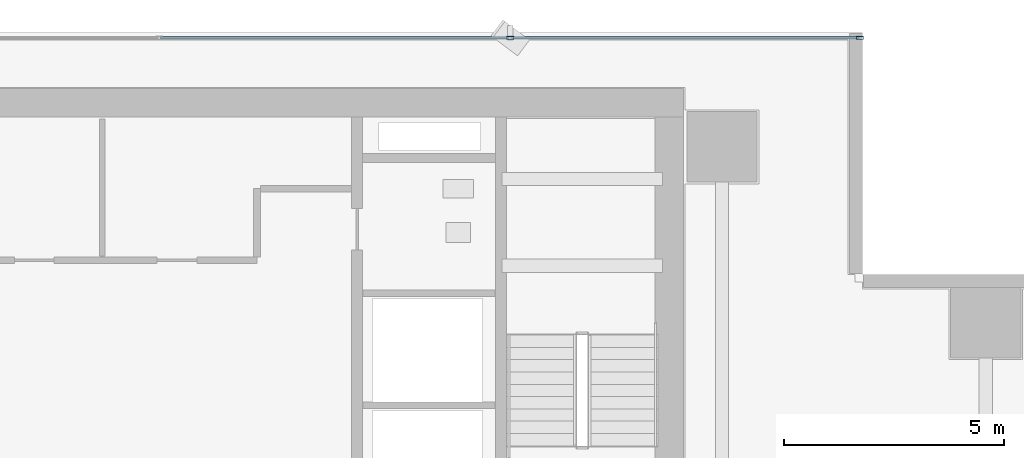
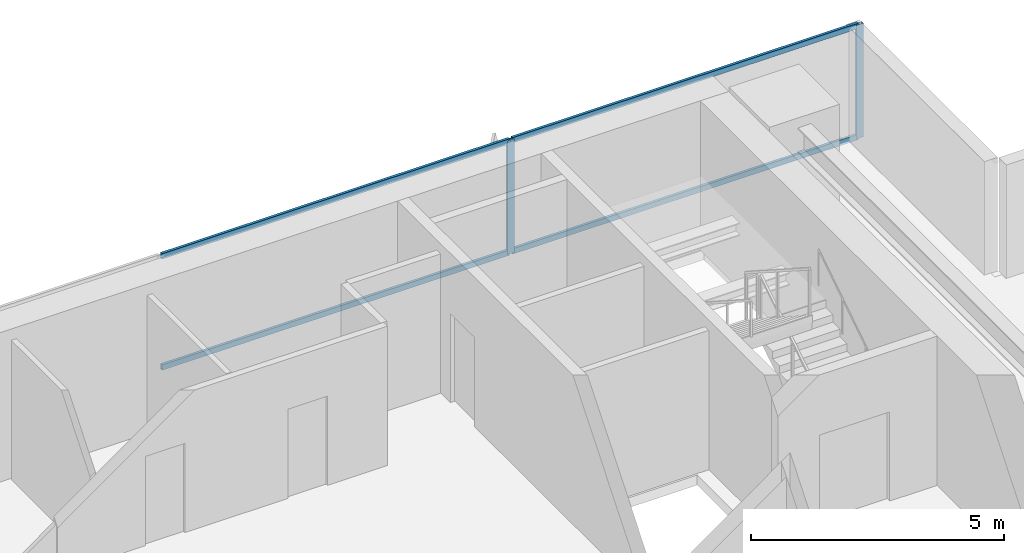
# One storey, part 24 of 34: 6 members, 1 element without a shape of its own.
"""IFC4 building model written with IfcOpenShell, lengths in metres."""

from ifc_helpers import new_model, si_unit, direction, frame, origin, origin_2d, place, context, subcontext, project, spatial, hollow_rectangle, extrude, source, transform, mapped, material, layer, layer_set, material_profile, profile_set, type_object, element, aggregate, save


model = new_model("IFC4")

# Units and contexts
model_context = context("Model", 3, precision=1e-05, world=origin(), true_north=direction((0.0, 1.0)))
body_context = subcontext(model_context, "Body", "Model", "MODEL_VIEW")
ifc_project = project(units=[si_unit("LENGTHUNIT", "METRE"), si_unit("AREAUNIT", "SQUARE_METRE"), si_unit("VOLUMEUNIT", "CUBIC_METRE"), si_unit("PLANEANGLEUNIT", "RADIAN"), si_unit("MASSUNIT", "GRAM", prefix="KILO")], contexts=[model_context])

# Site, building, storey
site_placement = place(None, origin())
site = spatial("IfcSite", under=ifc_project, at=site_placement, CompositionType="ELEMENT")
building_placement = place(site_placement, origin())
building = spatial("IfcBuilding", under=site, at=building_placement, Name="Sumidabori Civic Tower", CompositionType="ELEMENT")
storey_placement = place(building_placement, frame((0.0, 0.0, 99.199951171875)))
storey = spatial("IfcBuildingStorey", under=building, at=storey_placement, Name="L25", CompositionType="ELEMENT", Elevation=99.199951171875)

# Curtain wall, members
ifc_material = material(Name="Anodised Bronze Aluminium AW-6063-T6", Category="aluminium")
ifc_layer = layer(ifc_material, 0.179931640625, Name="Anodised Bronze Aluminium AW-6063-T6")
ifc_layer_set = layer_set([ifc_layer], Name="Anodised Bronze Aluminium AW-6063-T6")
curtain_wall_type = type_object("IfcCurtainWallType", Name="CW-SYS-3", PredefinedType="NOTDEFINED", material=ifc_layer_set)
curtain_wall_placement = place(storey_placement, origin())
curtain_wall = element("IfcCurtainWall", 1, at=curtain_wall_placement, inside=storey, type_object=curtain_wall_type, Name="Curtain Wall CW:L25:R07", PredefinedType="NOTDEFINED")
ifc_material_profile_1 = material_profile(ifc_material, hollow_rectangle(XDim=0.06494140625, YDim=0.159912109375, WallThickness=0.0048828125, at=origin_2d()), Name="ALU MULLION 160x65")
ifc_profile_set_1 = profile_set([ifc_material_profile_1], Name="Anodised Bronze Aluminium AW-6063-T6")
member_type_1 = type_object("IfcMemberType", Name="CW-MUL-160", PredefinedType="MULLION", material=ifc_profile_set_1)
shared_shape_1 = source(origin(), body_context, "Body", "SweptSolid", [
    extrude(hollow_rectangle(XDim=0.06494140625, YDim=0.159912109375, WallThickness=0.0048828125, at=origin_2d()), origin(), (0.0, 0.0, 1.0), 2.739990234375),
])
member_1_placement = place(storey_placement, frame((19.9375, 25.280029296875, 0.0), z_axis=(0.0, 0.0, 1.0), x_axis=(0.0, -1.0, 0.0)))
member_1 = element("IfcMember", 2, at=member_1_placement, type_object=member_type_1, Name="CW-3 mullion 1", PredefinedType="MULLION", context=body_context, shape_type="MappedRepresentation", body=[
    mapped(shared_shape_1, transform((0.0, 0.0, 0.0), x_axis=(1.0, 0.0, 0.0), y_axis=(0.0, 1.0, 0.0), z_axis=(0.0, 0.0, 1.0), scale=1.0)),
])
member_2_placement = place(storey_placement, frame((11.98193359375, 25.280029296875, 0.0), z_axis=(0.0, 0.0, 1.0), x_axis=(0.0, -1.0, 0.0)))
member_2 = element("IfcMember", 3, at=member_2_placement, type_object=member_type_1, Name="CW-3 mullion 2", PredefinedType="MULLION", context=body_context, shape_type="MappedRepresentation", body=[
    mapped(shared_shape_1, transform((0.0, 0.0, 0.0), x_axis=(1.0, 0.0, 0.0), y_axis=(0.0, 1.0, 0.0), z_axis=(0.0, 0.0, 1.0), scale=1.0)),
])
ifc_material_profile_2 = material_profile(ifc_material, hollow_rectangle(XDim=0.06005859375, YDim=0.1298828125, WallThickness=0.0048828125, at=origin_2d()), Name="ALU TRANSOM 130x60")
ifc_profile_set_2 = profile_set([ifc_material_profile_2], Name="Anodised Bronze Aluminium AW-6063-T6")
member_type_2 = type_object("IfcMemberType", Name="CW-TRN-130", PredefinedType="USERDEFINED", material=ifc_profile_set_2)
shared_shape_2 = source(origin(), body_context, "Body", "SweptSolid", [
    extrude(hollow_rectangle(XDim=0.06005859375, YDim=0.1298828125, WallThickness=0.0048828125, at=origin_2d()), origin(), (0.0, 0.0, 1.0), 7.890625),
])
member_3_placement = place(storey_placement, frame((19.905029296875, 25.280029296875, 0.030029296875), z_axis=(-1.0, 0.0, 0.0), x_axis=(0.0, -1.0, 0.0)))
member_3 = element("IfcMember", 4, at=member_3_placement, type_object=member_type_2, Name="CW-3 transom 1.1", ObjectType="TRANSOM", PredefinedType="USERDEFINED", context=body_context, shape_type="MappedRepresentation", body=[
    mapped(shared_shape_2, transform((0.0, 0.0, 0.0), x_axis=(1.0, 0.0, 0.0), y_axis=(0.0, 1.0, 0.0), z_axis=(0.0, 0.0, 1.0), scale=1.0)),
])
member_4_placement = place(storey_placement, frame((19.905029296875, 25.280029296875, 2.7099609375), z_axis=(-1.0, 0.0, 0.0), x_axis=(0.0, -1.0, 0.0)))
member_4 = element("IfcMember", 5, at=member_4_placement, type_object=member_type_2, Name="CW-3 transom 1.2", ObjectType="TRANSOM", PredefinedType="USERDEFINED", context=body_context, shape_type="MappedRepresentation", body=[
    mapped(shared_shape_2, transform((0.0, 0.0, 0.0), x_axis=(1.0, 0.0, 0.0), y_axis=(0.0, 1.0, 0.0), z_axis=(0.0, 0.0, 1.0), scale=1.0)),
])
shared_shape_3 = source(origin(), body_context, "Body", "SweptSolid", [
    extrude(hollow_rectangle(XDim=0.06005859375, YDim=0.1298828125, WallThickness=0.0048828125, at=origin_2d()), origin(), (0.0, 0.0, 1.0), 7.9228515625),
])
member_5_placement = place(storey_placement, frame((11.949462890625, 25.280029296875, 0.030029296875), z_axis=(-1.0, 0.0, 0.0), x_axis=(0.0, -1.0, 0.0)))
member_5 = element("IfcMember", 6, at=member_5_placement, type_object=member_type_2, Name="CW-3 transom 2.1", ObjectType="TRANSOM", PredefinedType="USERDEFINED", context=body_context, shape_type="MappedRepresentation", body=[
    mapped(shared_shape_3, transform((0.0, 0.0, 0.0), x_axis=(1.0, 0.0, 0.0), y_axis=(0.0, 1.0, 0.0), z_axis=(0.0, 0.0, 1.0), scale=1.0)),
])
member_6_placement = place(storey_placement, frame((11.949462890625, 25.280029296875, 2.7099609375), z_axis=(-1.0, 0.0, 0.0), x_axis=(0.0, -1.0, 0.0)))
member_6 = element("IfcMember", 7, at=member_6_placement, type_object=member_type_2, Name="CW-3 transom 2.2", ObjectType="TRANSOM", PredefinedType="USERDEFINED", context=body_context, shape_type="MappedRepresentation", body=[
    mapped(shared_shape_3, transform((0.0, 0.0, 0.0), x_axis=(1.0, 0.0, 0.0), y_axis=(0.0, 1.0, 0.0), z_axis=(0.0, 0.0, 1.0), scale=1.0)),
])
aggregate(curtain_wall, [member_1, member_2, member_3, member_4, member_5, member_6])

save(model, "model.ifc")
